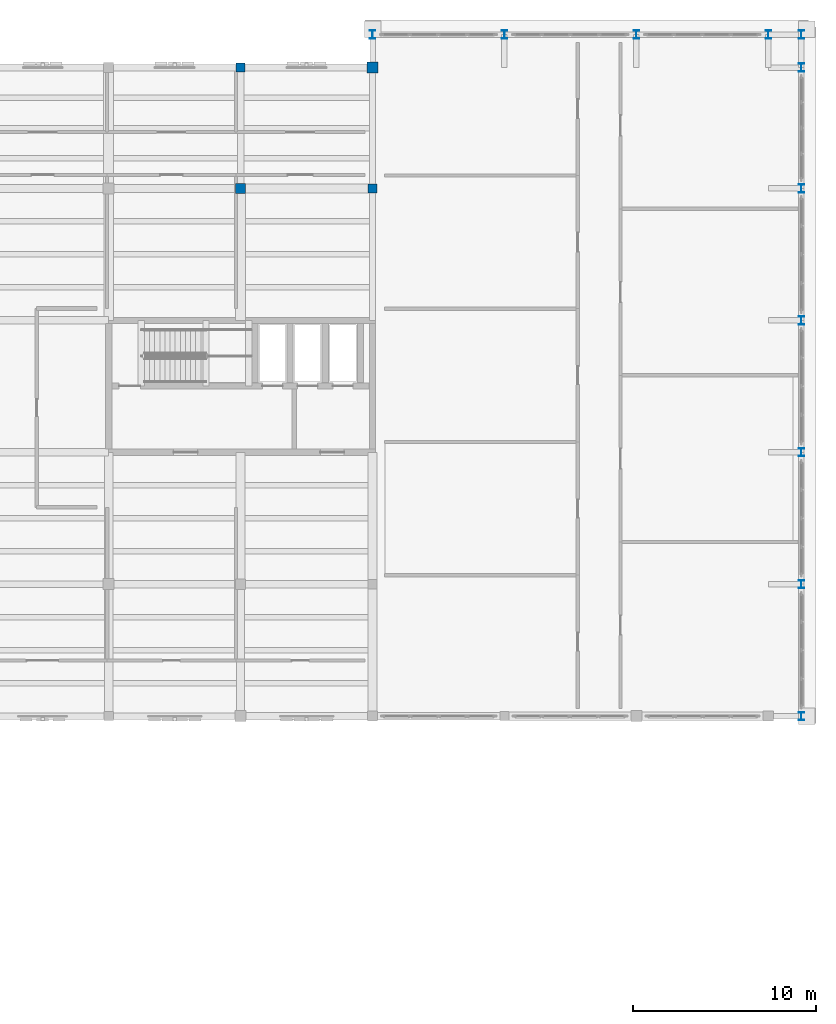
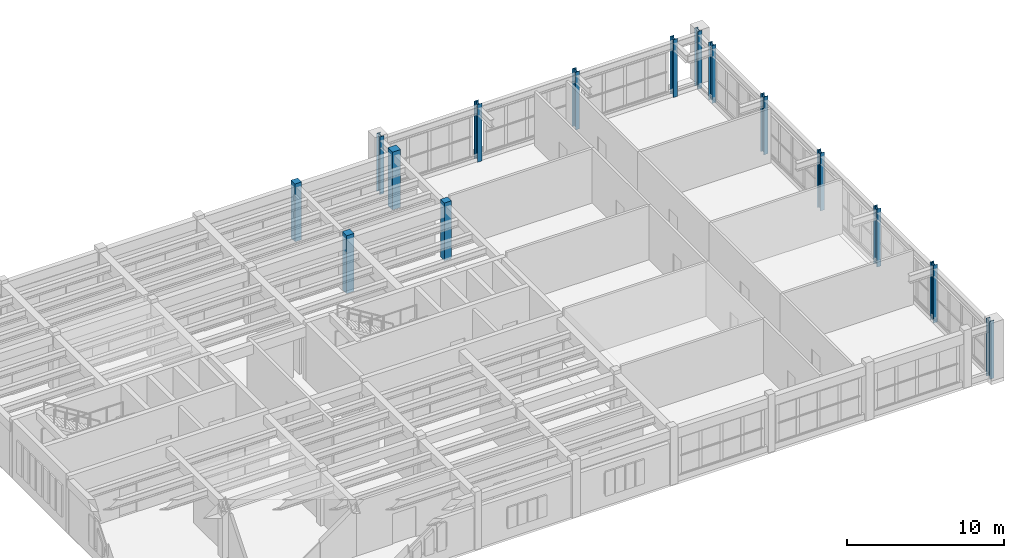
# One storey, part 2 of 18: 15 columns.
"""IFC4 building model written with IfcOpenShell, lengths in metres."""

from ifc_helpers import new_model, si_unit, direction, frame, origin, origin_2d, place, context, subcontext, project, spatial, rectangle, i_section, extrude, material, material_profile, profile_set, type_object, element, save


model = new_model("IFC4")

# Units and contexts
model_context = context("Model", 3, precision=1e-05, world=origin(), true_north=direction((0.0, 1.0)))
body_context = subcontext(model_context, "Body", "Model", "MODEL_VIEW")
ifc_project = project(units=[si_unit("LENGTHUNIT", "METRE"), si_unit("AREAUNIT", "SQUARE_METRE"), si_unit("VOLUMEUNIT", "CUBIC_METRE"), si_unit("PLANEANGLEUNIT", "RADIAN"), si_unit("MASSUNIT", "GRAM", prefix="KILO")], contexts=[model_context])

# Site, building, storey
site_placement = place(None, origin())
site = spatial("IfcSite", under=ifc_project, at=site_placement, CompositionType="ELEMENT")
building_placement = place(site_placement, origin())
building = spatial("IfcBuilding", under=site, at=building_placement, Name="Mithqara Police Headquarters", CompositionType="ELEMENT")
storey_placement = place(building_placement, frame((0.0, 0.0, 26.39990234375)))
storey = spatial("IfcBuildingStorey", under=building, at=storey_placement, Name="L06", CompositionType="ELEMENT", Elevation=26.39990234375)

# Columns
ifc_material_1 = material(Name="Steel S355JR", Category="steel")
ifc_material_profile_1 = material_profile(ifc_material_1, i_section(OverallWidth=0.300048828125, OverallDepth=0.449951171875, WebThickness=0.013916015625, FlangeThickness=0.02587890625, FilletRadius=0.027099609375, at=origin_2d()), Name="HEB 450")
ifc_profile_set_1 = profile_set([ifc_material_profile_1], Name="Steel S355JR")
column_type_1 = type_object("IfcColumnType", Name="COLUMN HEB450", PredefinedType="COLUMN", material=ifc_profile_set_1)
for number, where, z_axis, x_axis, name in (
    (1, (168.0, 78.60009765625, 0.0), (0.0, 0.0, 1.0), (1.0, 0.0, 0.0), "L06 Proud Command Cube Steel Column 1"),
    (2, (168.0, 85.800048828125, 0.0), (0.0, 0.0, 1.0), (1.0, 0.0, 0.0), "L06 Proud Command Cube Steel Column 2"),
    (3, (168.0, 93.0, 0.0), (0.0, 0.0, 1.0), (1.0, 0.0, 0.0), "L06 Proud Command Cube Steel Column 3"),
    (4, (168.0, 100.199951171875, 0.0), (0.0, 0.0, 1.0), (1.0, 0.0, 0.0), "L06 Proud Command Cube Steel Column 4"),
    (5, (168.0, 107.39990234375, 0.0), (0.0, 0.0, 1.0), (1.0, 0.0, 0.0), "L06 Proud Command Cube Steel Column 5"),
    (6, (168.0, 114.0, 0.0), (0.0, 0.0, 1.0), (1.0, 0.0, 0.0), "L06 Proud Command Cube Steel Column 6"),
    (7, (168.0, 115.800048828125, 0.0), (0.0, 0.0, 1.0), (1.0, 0.0, 0.0), "L06 Proud Command Cube Steel Column 7"),
    (8, (166.199951171875, 115.800048828125, 0.0), (0.0, 0.0, 1.0), (1.0, 0.0, 0.0), "L06 Proud Command Cube Steel Column 8"),
    (9, (159.0, 115.800048828125, 0.0), (0.0, 0.0, 1.0), (1.0, 0.0, 0.0), "L06 Proud Command Cube Steel Column 9"),
    (10, (151.800048828125, 115.800048828125, 0.0), (0.0, 0.0, 1.0), (1.0, 0.0, 0.0), "L06 Proud Command Cube Steel Column 10"),
    (11, (144.60009765625, 115.800048828125, 0.0), (0.0, 0.0, 1.0), (1.0, 0.0, 0.0), "L06 Proud Command Cube Steel Column 11"),
):
    element("IfcColumn", number, at=place(storey_placement, frame(where, z_axis=z_axis, x_axis=x_axis)), inside=storey, type_object=column_type_1, Name=name, PredefinedType="COLUMN", context=body_context, shape_type="SweptSolid", body=[
        extrude(i_section(OverallWidth=0.300048828125, OverallDepth=0.449951171875, WebThickness=0.013916015625, FlangeThickness=0.02587890625, FilletRadius=0.027099609375, at=origin_2d()), origin(), (0.0, 0.0, 1.0), 4.5),
    ])
ifc_material_2 = material(Name="Concrete C50/60", Category="concrete")
ifc_material_profile_2 = material_profile(ifc_material_2, rectangle(XDim=0.5, YDim=0.5, at=origin_2d()), Name="RC 500x500")
ifc_profile_set_2 = profile_set([ifc_material_profile_2], Name="Concrete C50/60")
column_type_2 = type_object("IfcColumnType", Name="COLUMN RC500", PredefinedType="COLUMN", material=ifc_profile_set_2)
for number, where, z_axis, x_axis, name in (
    (12, (137.39990234375, 114.0, 0.0), (0.0, 0.0, 1.0), (1.0, 0.0, 0.0), "L06 Column 20/S"),
    (13, (144.60009765625, 107.39990234375, 0.0), (0.0, 0.0, 1.0), (1.0, 0.0, 0.0), "L06 Column 21/R"),
):
    element("IfcColumn", number, at=place(storey_placement, frame(where, z_axis=z_axis, x_axis=x_axis)), inside=storey, type_object=column_type_2, Name=name, PredefinedType="COLUMN", context=body_context, shape_type="SweptSolid", body=[
        extrude(rectangle(XDim=0.5, YDim=0.5, at=origin_2d()), origin(), (0.0, 0.0, 1.0), 4.5),
    ])
ifc_material_profile_3 = material_profile(ifc_material_2, rectangle(XDim=0.550048828125, YDim=0.550048828125, at=origin_2d()), Name="RC 550x550")
ifc_profile_set_3 = profile_set([ifc_material_profile_3], Name="Concrete C50/60")
column_type_3 = type_object("IfcColumnType", Name="COLUMN RC550", PredefinedType="COLUMN", material=ifc_profile_set_3)
column_1_placement = place(storey_placement, frame((137.39990234375, 107.39990234375, 0.0), z_axis=(0.0, 0.0, 1.0), x_axis=(1.0, 0.0, 0.0)))
element("IfcColumn", 14, at=column_1_placement, inside=storey, type_object=column_type_3, Name="L06 Column 20/R", PredefinedType="COLUMN", context=body_context, shape_type="SweptSolid", body=[
    extrude(rectangle(XDim=0.550048828125, YDim=0.550048828125, at=origin_2d()), origin(), (0.0, 0.0, 1.0), 4.5),
])
ifc_material_profile_4 = material_profile(ifc_material_2, rectangle(XDim=0.60009765625, YDim=0.60009765625, at=origin_2d()), Name="RC 600x600")
ifc_profile_set_4 = profile_set([ifc_material_profile_4], Name="Concrete C50/60")
column_type_4 = type_object("IfcColumnType", Name="COLUMN RC600", PredefinedType="COLUMN", material=ifc_profile_set_4)
column_2_placement = place(storey_placement, frame((144.60009765625, 114.0, 0.0), z_axis=(0.0, 0.0, 1.0), x_axis=(1.0, 0.0, 0.0)))
element("IfcColumn", 15, at=column_2_placement, inside=storey, type_object=column_type_4, Name="L06 Column 21/S", PredefinedType="COLUMN", context=body_context, shape_type="SweptSolid", body=[
    extrude(rectangle(XDim=0.60009765625, YDim=0.60009765625, at=origin_2d()), origin(), (0.0, 0.0, 1.0), 4.5),
])

save(model, "model.ifc")
